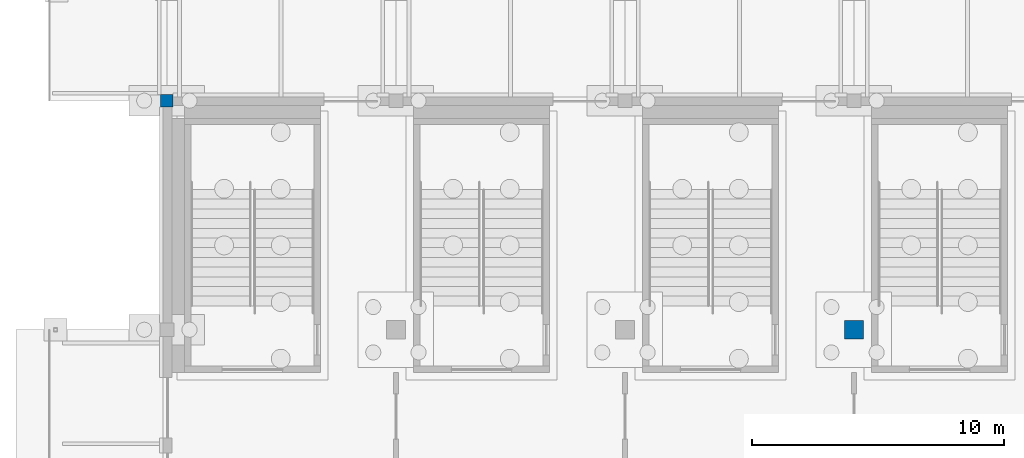
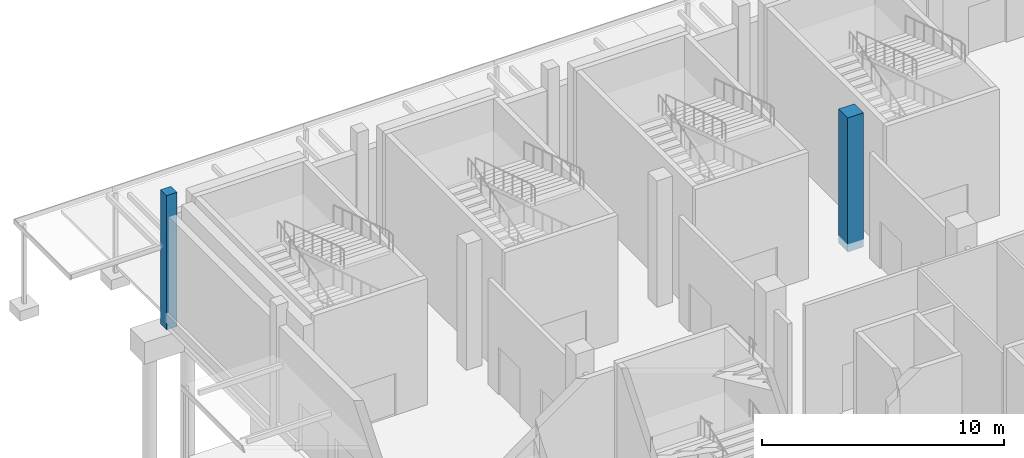
# One storey, part 27 of 129: 2 columns.
"""IFC4 building model written with IfcOpenShell, lengths in metres."""

from ifc_helpers import new_model, si_unit, direction, frame, origin, origin_2d, place, context, subcontext, project, spatial, rectangle, extrude, material, material_profile, profile_set, type_object, element, save


model = new_model("IFC4")

# Units and contexts
model_context = context("Model", 3, precision=1e-05, world=origin(), true_north=direction((0.0, 1.0)))
body_context = subcontext(model_context, "Body", "Model", "MODEL_VIEW")
ifc_project = project(units=[si_unit("LENGTHUNIT", "METRE"), si_unit("AREAUNIT", "SQUARE_METRE"), si_unit("VOLUMEUNIT", "CUBIC_METRE"), si_unit("PLANEANGLEUNIT", "RADIAN"), si_unit("MASSUNIT", "GRAM", prefix="KILO")], contexts=[model_context])

# Site, building, storey
site_placement = place(None, origin())
site = spatial("IfcSite", under=ifc_project, at=site_placement, CompositionType="ELEMENT")
building_placement = place(site_placement, origin())
building = spatial("IfcBuilding", under=site, at=building_placement, Name="Shirokan Park Arena", CompositionType="ELEMENT")
storey_placement = place(building_placement, origin())
storey = spatial("IfcBuildingStorey", under=building, at=storey_placement, Name="L00", CompositionType="ELEMENT", Elevation=0.0)

# Columns
ifc_material = material(Name="Concrete C35", Category="concrete")
ifc_material_profile_1 = material_profile(ifc_material, rectangle(XDim=0.5, YDim=0.5, at=origin_2d()), Name="500x500")
ifc_profile_set_1 = profile_set([ifc_material_profile_1], Name="Concrete C35")
column_type_1 = type_object("IfcColumnType", Name="RC column 500x500", PredefinedType="COLUMN", material=ifc_profile_set_1)
column_1_placement = place(storey_placement, frame((0.0, 109.199951171875, -0.39990234375), z_axis=(0.0, 0.0, 1.0), x_axis=(1.0, 0.0, 0.0)))
element("IfcColumn", 1, at=column_1_placement, inside=storey, type_object=column_type_1, Name="Column 1N L00", PredefinedType="COLUMN", context=body_context, shape_type="SweptSolid", body=[
    extrude(rectangle(XDim=0.5, YDim=0.5, at=origin_2d()), origin(), (0.0, 0.0, 1.0), 6.77001953125),
])
ifc_material_profile_2 = material_profile(ifc_material, rectangle(XDim=0.75, YDim=0.75, at=origin_2d()), Name="750x750")
ifc_profile_set_2 = profile_set([ifc_material_profile_2], Name="Concrete C35")
column_type_2 = type_object("IfcColumnType", Name="RC column 750x750", PredefinedType="COLUMN", material=ifc_profile_set_2)
column_2_placement = place(storey_placement, frame((27.300048828125, 100.10009765625, -0.39990234375), z_axis=(0.0, 0.0, 1.0), x_axis=(1.0, 0.0, 0.0)))
element("IfcColumn", 2, at=column_2_placement, inside=storey, type_object=column_type_2, Name="Column 4M L00", PredefinedType="COLUMN", context=body_context, shape_type="SweptSolid", body=[
    extrude(rectangle(XDim=0.75, YDim=0.75, at=origin_2d()), origin(), (0.0, 0.0, 1.0), 6.77001953125),
])

save(model, "model.ifc")
